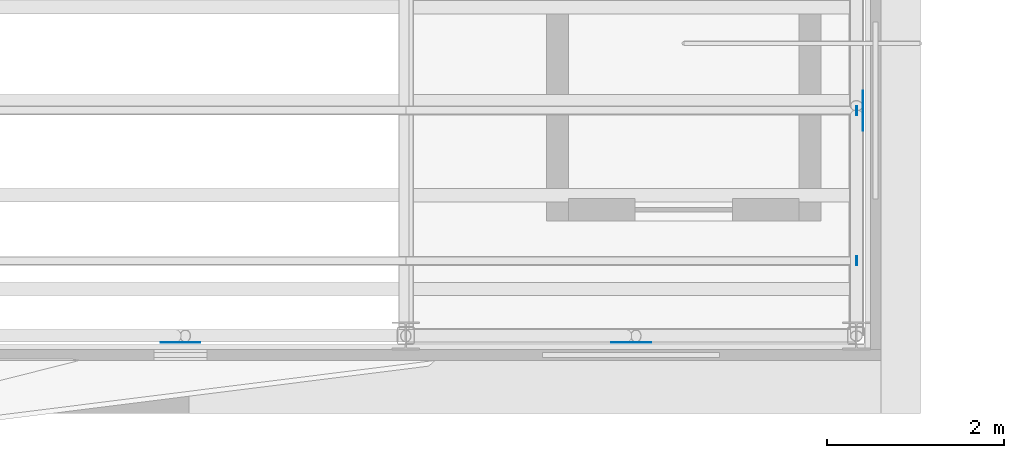
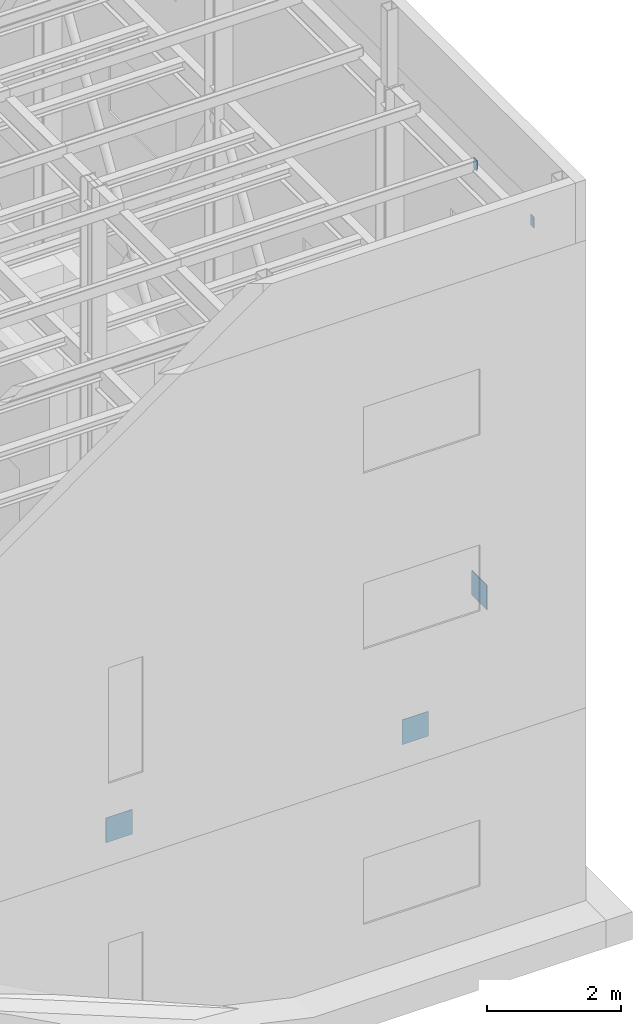
# One storey, part 10 of 22: 5 plates.
"""IFC4 building model written with IfcOpenShell, lengths in metres."""

from ifc_helpers import new_model, si_unit, direction, frame, origin, origin_2d, place, context, subcontext, project, spatial, rectangle, extrude, material, layer, layer_set, type_object, element, save


model = new_model("IFC4")

# Units and contexts
model_context = context("Model", 3, precision=1e-05, world=origin(), true_north=direction((0.0, 1.0)))
body_context = subcontext(model_context, "Body", "Model", "MODEL_VIEW")
ifc_project = project(units=[si_unit("LENGTHUNIT", "METRE"), si_unit("AREAUNIT", "SQUARE_METRE"), si_unit("VOLUMEUNIT", "CUBIC_METRE"), si_unit("PLANEANGLEUNIT", "RADIAN"), si_unit("MASSUNIT", "GRAM", prefix="KILO")], contexts=[model_context])

# Site, building, storey
site_placement = place(None, origin())
site = spatial("IfcSite", under=ifc_project, at=site_placement, CompositionType="ELEMENT")
building_placement = place(site_placement, origin())
building = spatial("IfcBuilding", under=site, at=building_placement, Name="Tide Square Theatres", CompositionType="ELEMENT")
storey_placement = place(building_placement, frame((0.0, 0.0, 24.0)))
storey = spatial("IfcBuildingStorey", under=building, at=storey_placement, Name="L05", CompositionType="ELEMENT", Elevation=24.0)

# Plates
ifc_material = material(Name="Steel ASTM A572 Grade 50", Category="steel")
ifc_layer = layer(ifc_material, 0.010009765625)
ifc_layer_set = layer_set([ifc_layer], Name="Steel ASTM A572 Grade 50")
plate_type = type_object("IfcPlateType", Name="Steel end plate 10 thick", PredefinedType="USERDEFINED", material=ifc_layer_set)
for number, where, z_axis, x_axis, name in (
    (1, (96.72900390625, 57.124267578125, 12.16015625), (0.0, 0.0, 1.0), (1.0, 0.0, 0.0), "Tower roof purlin end plate"),
    (2, (96.72900390625, 58.82080078125, 12.16015625), (0.0, 0.0, 1.0), (1.0, 0.0, 0.0), "Tower roof purlin end plate"),
):
    element("IfcPlate", number, at=place(storey_placement, frame(where, z_axis=z_axis, x_axis=x_axis)), inside=storey, type_object=plate_type, Name=name, ObjectType="END PLATE", PredefinedType="USERDEFINED", context=body_context, shape_type="SweptSolid", body=[
        extrude(rectangle(XDim=0.010009765625, YDim=0.10009765625, at=origin_2d()), origin(), (0.0, 0.0, 1.0), 0.199951171875),
    ])
for number, where, z_axis, x_axis, name in (
    (3, (89.089599609375, 56.202392578125, 4.27490234375), (0.0, 0.0, 1.0), (0.0, -1.0, 0.0), "Fly tower brace crossing node plate"),
    (4, (94.17919921875, 56.202392578125, 4.27490234375), (0.0, 0.0, 1.0), (0.0, -1.0, 0.0), "Fly tower brace crossing node plate"),
    (5, (96.797607421875, 58.82080078125, 4.27490234375), (0.0, 0.0, 1.0), (1.0, 0.0, 0.0), "Fly tower brace crossing node plate"),
):
    element("IfcPlate", number, at=place(storey_placement, frame(where, z_axis=z_axis, x_axis=x_axis)), inside=storey, type_object=plate_type, Name=name, ObjectType="END PLATE", PredefinedType="USERDEFINED", context=body_context, shape_type="SweptSolid", body=[
        extrude(rectangle(XDim=0.010009765625, YDim=0.449951171875, at=origin_2d()), origin(), (0.0, 0.0, 1.0), 0.449951171875),
    ])

save(model, "model.ifc")
